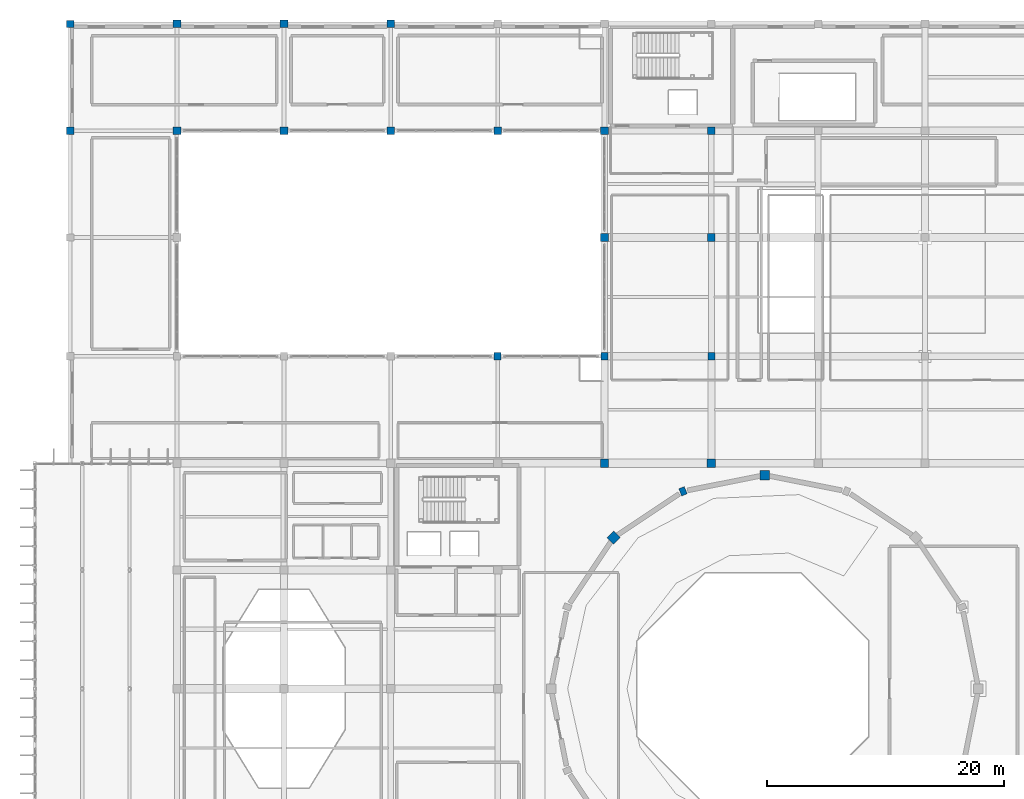
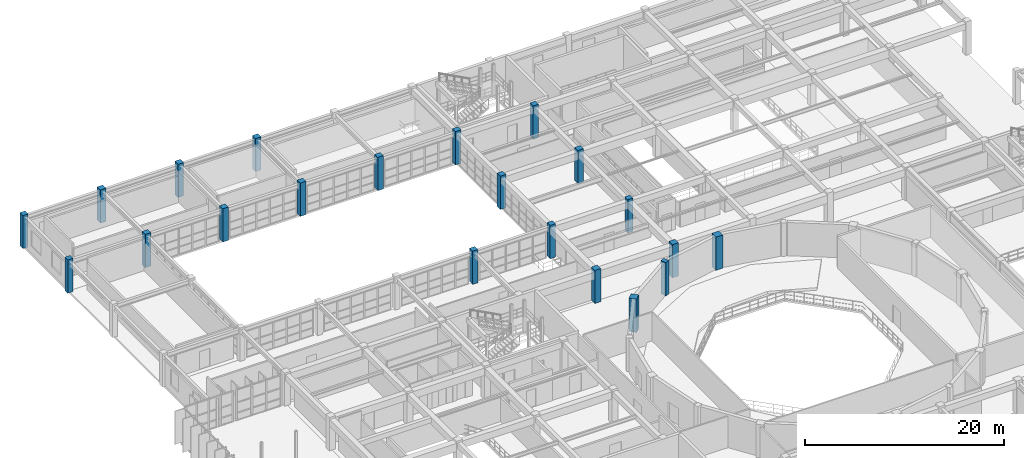
# One storey, part 6 of 110: 21 columns.
"""IFC4 building model written with IfcOpenShell, lengths in metres."""

from ifc_helpers import new_model, si_unit, direction, frame, origin, origin_2d, place, context, subcontext, project, spatial, rectangle, extrude, material, material_profile, profile_set, type_object, element, save


model = new_model("IFC4")

# Units and contexts
model_context = context("Model", 3, precision=1e-05, world=origin(), true_north=direction((0.0, 1.0)))
body_context = subcontext(model_context, "Body", "Model", "MODEL_VIEW")
ifc_project = project(units=[si_unit("LENGTHUNIT", "METRE"), si_unit("AREAUNIT", "SQUARE_METRE"), si_unit("VOLUMEUNIT", "CUBIC_METRE"), si_unit("PLANEANGLEUNIT", "RADIAN"), si_unit("MASSUNIT", "GRAM", prefix="KILO")], contexts=[model_context])

# Site, building, storey
site_placement = place(None, origin())
site = spatial("IfcSite", under=ifc_project, at=site_placement, CompositionType="ELEMENT")
building_placement = place(site_placement, origin())
building = spatial("IfcBuilding", under=site, at=building_placement, Name="Miravela Opera House", CompositionType="ELEMENT")
storey_placement = place(building_placement, frame((0.0, 0.0, 13.60009765625)))
storey = spatial("IfcBuildingStorey", under=building, at=storey_placement, Name="L03", CompositionType="ELEMENT", Elevation=13.60009765625)

# Columns
ifc_material_1 = material(Name="Concrete C35/45", Category="concrete")
ifc_material_profile_1 = material_profile(ifc_material_1, rectangle(XDim=0.60009765625, YDim=0.60009765625, at=origin_2d()), Name="RC-COL-600X600")
ifc_profile_set_1 = profile_set([ifc_material_profile_1])
column_type_1 = type_object("IfcColumnType", Name="STR-COL-RC600", PredefinedType="COLUMN", material=ifc_profile_set_1)
for number, where, z_axis, x_axis, name in (
    (1, (18.0, 103.0, 0.0), (0.0, 0.0, 1.0), (1.0, 0.0, 0.0), "Column C-3L (L03)"),
    (2, (18.0, 112.0, 0.0), (0.0, 0.0, 1.0), (1.0, 0.0, 0.0), "Column C-3M (L03)"),
    (3, (54.0, 84.0, 0.0), (0.0, 0.0, 1.0), (1.0, 0.0, 0.0), "Column C-7J (L03)"),
    (4, (63.0, 84.0, 0.0), (0.0, 0.0, 1.0), (1.0, 0.0, 0.0), "Column C-8J (L03)"),
    (5, (72.0, 84.0, 0.0), (0.0, 0.0, 1.0), (1.0, 0.0, 0.0), "Column C-9J (L03)"),
):
    element("IfcColumn", number, at=place(storey_placement, frame(where, z_axis=z_axis, x_axis=x_axis)), inside=storey, type_object=column_type_1, Name=name, PredefinedType="COLUMN", context=body_context, shape_type="SweptSolid", body=[
        extrude(rectangle(XDim=0.60009765625, YDim=0.60009765625, at=origin_2d()), origin(), (0.0, 0.0, 1.0), 4.079833984375),
    ])
ifc_material_profile_2 = material_profile(ifc_material_1, rectangle(XDim=0.64990234375, YDim=0.64990234375, at=origin_2d()), Name="RC-COL-650X650")
ifc_profile_set_2 = profile_set([ifc_material_profile_2])
column_type_2 = type_object("IfcColumnType", Name="STR-COL-RC650", PredefinedType="COLUMN", material=ifc_profile_set_2)
for number, where, z_axis, x_axis, name in (
    (6, (27.0, 103.0, 0.0), (0.0, 0.0, 1.0), (1.0, 0.0, 0.0), "Column C-4L (L03)"),
    (7, (27.0, 112.0, 0.0), (0.0, 0.0, 1.0), (1.0, 0.0, 0.0), "Column C-4M (L03)"),
    (8, (36.0, 103.0, 0.0), (0.0, 0.0, 1.0), (1.0, 0.0, 0.0), "Column C-5L (L03)"),
    (9, (36.0, 112.0, 0.0), (0.0, 0.0, 1.0), (1.0, 0.0, 0.0), "Column C-5M (L03)"),
    (10, (45.0, 103.0, 0.0), (0.0, 0.0, 1.0), (1.0, 0.0, 0.0), "Column C-6L (L03)"),
    (11, (45.0, 112.0, 0.0), (0.0, 0.0, 1.0), (1.0, 0.0, 0.0), "Column C-6M (L03)"),
    (12, (54.0, 103.0, 0.0), (0.0, 0.0, 1.0), (1.0, 0.0, 0.0), "Column C-7L (L03)"),
    (13, (63.0, 94.0, 0.0), (0.0, 0.0, 1.0), (1.0, 0.0, 0.0), "Column C-8K (L03)"),
    (14, (63.0, 103.0, 0.0), (0.0, 0.0, 1.0), (1.0, 0.0, 0.0), "Column C-8L (L03)"),
    (15, (72.0, 94.0, 0.0), (0.0, 0.0, 1.0), (1.0, 0.0, 0.0), "Column C-9K (L03)"),
    (16, (72.0, 103.0, 0.0), (0.0, 0.0, 1.0), (1.0, 0.0, 0.0), "Column C-9L (L03)"),
):
    element("IfcColumn", number, at=place(storey_placement, frame(where, z_axis=z_axis, x_axis=x_axis)), inside=storey, type_object=column_type_2, Name=name, PredefinedType="COLUMN", context=body_context, shape_type="SweptSolid", body=[
        extrude(rectangle(XDim=0.64990234375, YDim=0.64990234375, at=origin_2d()), origin(), (0.0, 0.0, 1.0), 4.079833984375),
    ])
ifc_material_profile_3 = material_profile(ifc_material_1, rectangle(XDim=0.699951171875, YDim=0.699951171875, at=origin_2d()), Name="RC-COL-700X700")
ifc_profile_set_3 = profile_set([ifc_material_profile_3])
column_type_3 = type_object("IfcColumnType", Name="STR-COL-RC700", PredefinedType="COLUMN", material=ifc_profile_set_3)
for number, where, z_axis, x_axis, name in (
    (17, (63.0, 75.0, 0.0), (0.0, 0.0, 1.0), (1.0, 0.0, 0.0), "Column C-8I (L03)"),
    (18, (72.0, 75.0, 0.0), (0.0, 0.0, 1.0), (1.0, 0.0, 0.0), "Column C-9I (L03)"),
):
    element("IfcColumn", number, at=place(storey_placement, frame(where, z_axis=z_axis, x_axis=x_axis)), inside=storey, type_object=column_type_3, Name=name, PredefinedType="COLUMN", context=body_context, shape_type="SweptSolid", body=[
        extrude(rectangle(XDim=0.699951171875, YDim=0.699951171875, at=origin_2d()), origin(), (0.0, 0.0, 1.0), 4.079833984375),
    ])
ifc_material_profile_4 = material_profile(ifc_material_1, rectangle(XDim=0.64990234375, YDim=0.5, at=origin_2d()), Name="RC-PIL-650X500")
ifc_profile_set_4 = profile_set([ifc_material_profile_4])
column_type_4 = type_object("IfcColumnType", Name="STR-PIL-RC650X500", PredefinedType="PILASTER", material=ifc_profile_set_4)
column_placement = place(storey_placement, frame((69.61181640625, 72.6298828125, 0.0), z_axis=(0.0, 0.0, 1.0), x_axis=(-0.382683432365, 0.923879532511, 0.0)))
element("IfcColumn", 19, at=column_placement, inside=storey, type_object=column_type_4, Name="Auditorium Drum Column DC-06 (L03)", PredefinedType="PILASTER", context=body_context, shape_type="SweptSolid", body=[
    extrude(rectangle(XDim=0.64990234375, YDim=0.5, at=origin_2d()), origin(), (0.0, 0.0, 1.0), 4.079833984375),
])
ifc_material_2 = material(Name="Concrete C40/50", Category="concrete")
ifc_material_profile_5 = material_profile(ifc_material_2, rectangle(XDim=0.800048828125, YDim=0.800048828125, at=origin_2d()), Name="RC-COL-800X800")
ifc_profile_set_5 = profile_set([ifc_material_profile_5])
column_type_5 = type_object("IfcColumnType", Name="STR-PIL-RC800", PredefinedType="PILASTER", material=ifc_profile_set_5)
for number, where, z_axis, x_axis, name in (
    (20, (76.5, 74.0, 0.0), (0.0, 0.0, 1.0), (0.0, 1.0, 0.0), "Auditorium Drum Column DC-05 (L03)"),
    (21, (63.772216796875, 68.727783203125, 0.0), (0.0, 0.0, 1.0), (-0.707106781187, 0.707106781187, 0.0), "Auditorium Drum Column DC-07 (L03)"),
):
    element("IfcColumn", number, at=place(storey_placement, frame(where, z_axis=z_axis, x_axis=x_axis)), inside=storey, type_object=column_type_5, Name=name, PredefinedType="PILASTER", context=body_context, shape_type="SweptSolid", body=[
        extrude(rectangle(XDim=0.800048828125, YDim=0.800048828125, at=origin_2d()), origin(), (0.0, 0.0, 1.0), 4.079833984375),
    ])

save(model, "model.ifc")
